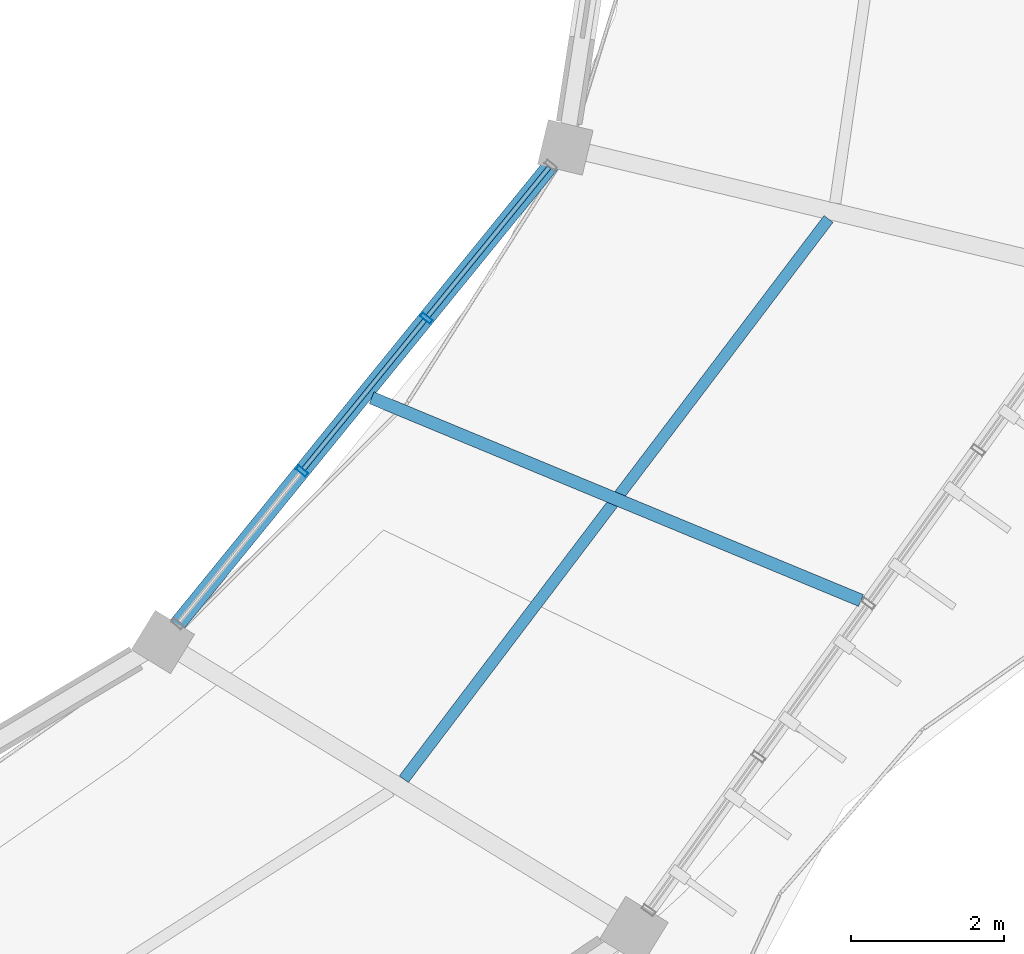
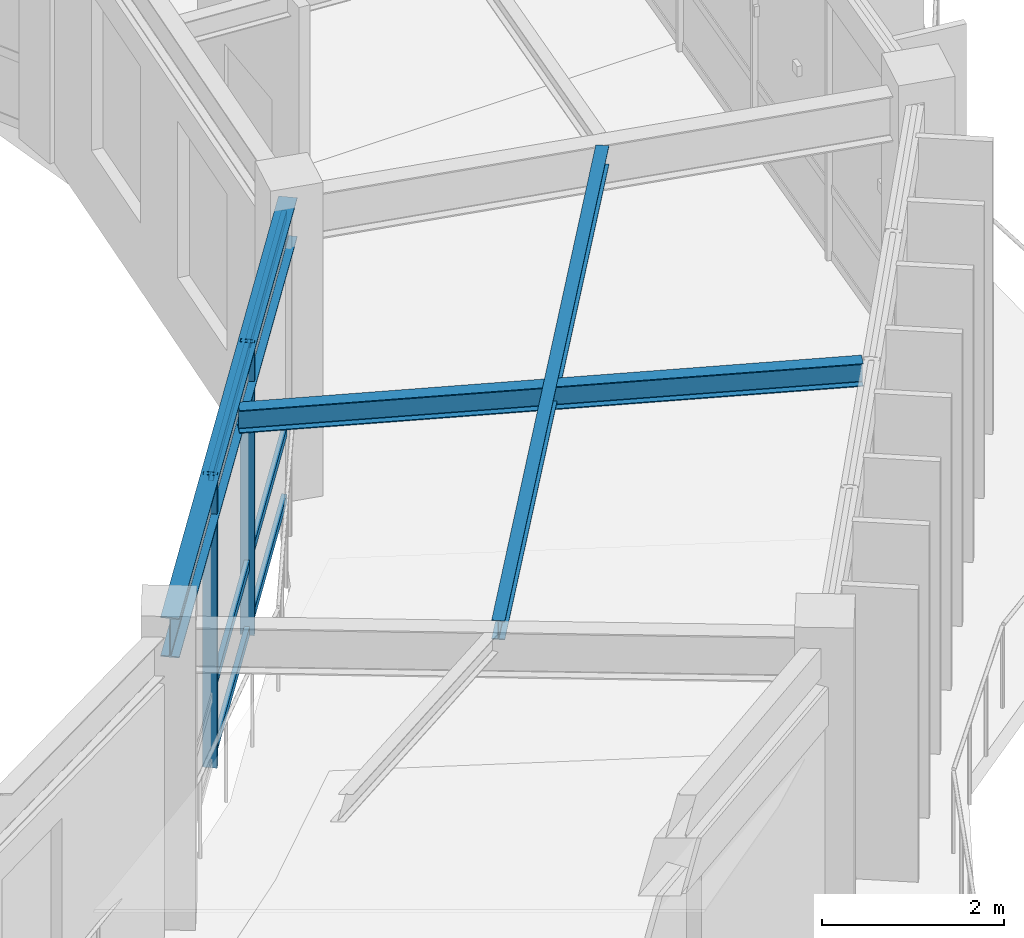
# One storey, part 75 of 114: 8 members, 3 beams, 1 element without a shape of its own.
"""IFC4 building model written with IfcOpenShell, lengths in metres."""

from ifc_helpers import new_model, si_unit, direction, frame, origin, origin_2d, place, context, subcontext, project, spatial, hollow_rectangle, i_section, extrude, material, material_profile, profile_set, type_object, element, aggregate, save


model = new_model("IFC4")

# Units and contexts
model_context = context("Model", 3, precision=1e-05, world=origin(), true_north=direction((0.0, 1.0)))
body_context = subcontext(model_context, "Body", "Model", "MODEL_VIEW")
ifc_project = project(units=[si_unit("LENGTHUNIT", "METRE"), si_unit("AREAUNIT", "SQUARE_METRE"), si_unit("VOLUMEUNIT", "CUBIC_METRE"), si_unit("PLANEANGLEUNIT", "RADIAN"), si_unit("MASSUNIT", "GRAM", prefix="KILO"), si_unit("THERMODYNAMICTEMPERATUREUNIT", "KELVIN"), si_unit("POWERUNIT", "WATT")], contexts=[model_context])

# Site, building, storey
site_placement = place(None, origin())
site = spatial("IfcSite", under=ifc_project, at=site_placement, CompositionType="ELEMENT")
building_placement = place(site_placement, origin())
building = spatial("IfcBuilding", under=site, at=building_placement, Name="Darbajah Civic Hall", CompositionType="ELEMENT")
storey_placement = place(building_placement, frame((0.0, 0.0, 13.800048828125)))
storey = spatial("IfcBuildingStorey", under=building, at=storey_placement, Name="L03", CompositionType="ELEMENT", Elevation=13.800048828125)

# Curtain wall, members
ifc_material_1 = material(Name="Anodised Bronze Aluminium and Low-E Glazing", Category="aluminium")
curtain_wall_type = type_object("IfcCurtainWallType", Name="Unitised Curtain Wall CW-52 7700x3900", PredefinedType="USERDEFINED", material=ifc_material_1)
curtain_wall_placement = place(storey_placement, origin())
curtain_wall = element("IfcCurtainWall", 1, at=curtain_wall_placement, inside=storey, type_object=curtain_wall_type, Name="L03 unitised curtain wall CW-V1I-L03-18", ObjectType="UNITISED CURTAIN WALL", PredefinedType="USERDEFINED")
ifc_material_2 = material(Name="Anodised Bronze Aluminium", Category="aluminium")
ifc_material_profile_1 = material_profile(ifc_material_2, hollow_rectangle(XDim=0.06005859375, YDim=0.159912109375, WallThickness=0.00341796875, at=origin_2d()), Name="ALU MULLION 60x160")
ifc_profile_set_1 = profile_set([ifc_material_profile_1], Name="Anodised Bronze Aluminium")
member_type_1 = type_object("IfcMemberType", Name="ALU MULLION 60x160", PredefinedType="MULLION", material=ifc_profile_set_1)
member_1_placement = place(storey_placement, frame((128.257080078125, 80.375, 0.0), z_axis=(0.0, 0.0, 1.0), x_axis=(0.63108205791, 0.775716079622, 0.0)))
member_1 = element("IfcMember", 2, at=member_1_placement, type_object=member_type_1, Name="CW-V1I-L03-18 mullion 2", PredefinedType="MULLION", context=body_context, shape_type="SweptSolid", body=[
    extrude(hollow_rectangle(XDim=0.06005859375, YDim=0.159912109375, WallThickness=0.00341796875, at=origin_2d()), origin(), (0.0, 0.0, 1.0), 3.919921875),
])
member_2_placement = place(storey_placement, frame((129.878173828125, 82.367431640625, 0.0), z_axis=(0.0, 0.0, 1.0), x_axis=(0.63108205791, 0.775716079622, 0.0)))
member_2 = element("IfcMember", 3, at=member_2_placement, type_object=member_type_1, Name="CW-V1I-L03-18 mullion 3", PredefinedType="MULLION", context=body_context, shape_type="SweptSolid", body=[
    extrude(hollow_rectangle(XDim=0.06005859375, YDim=0.159912109375, WallThickness=0.00341796875, at=origin_2d()), origin(), (0.0, 0.0, 1.0), 3.919921875),
])
ifc_material_profile_2 = material_profile(ifc_material_2, hollow_rectangle(XDim=0.06005859375, YDim=0.1201171875, WallThickness=0.003173828125, at=origin_2d()), Name="ALU TRANSOM 60x120")
ifc_profile_set_2 = profile_set([ifc_material_profile_2], Name="Anodised Bronze Aluminium")
member_type_2 = type_object("IfcMemberType", Name="ALU TRANSOM 60x120", PredefinedType="USERDEFINED", material=ifc_profile_set_2)
member_3_placement = place(storey_placement, frame((128.279296875, 80.402099609375, 0.06005859375), z_axis=(0.631096435911, 0.77570438221, 0.0), x_axis=(-0.77570438221, 0.631096435911, 0.0)))
member_3 = element("IfcMember", 4, at=member_3_placement, type_object=member_type_2, Name="CW-V1I-L03-18 transom 2.1", ObjectType="TRANSOM", PredefinedType="USERDEFINED", context=body_context, shape_type="SweptSolid", body=[
    extrude(hollow_rectangle(XDim=0.06005859375, YDim=0.1201171875, WallThickness=0.003173828125, at=origin_2d()), origin(), (0.0, 0.0, 1.0), 2.498779296875),
])
member_4_placement = place(storey_placement, frame((128.279296875, 80.402099609375, 0.949951171875), z_axis=(0.631096435911, 0.77570438221, 0.0), x_axis=(-0.77570438221, 0.631096435911, 0.0)))
member_4 = element("IfcMember", 5, at=member_4_placement, type_object=member_type_2, Name="CW-V1I-L03-18 transom 2.2", ObjectType="TRANSOM", PredefinedType="USERDEFINED", context=body_context, shape_type="SweptSolid", body=[
    extrude(hollow_rectangle(XDim=0.06005859375, YDim=0.1201171875, WallThickness=0.003173828125, at=origin_2d()), origin(), (0.0, 0.0, 1.0), 2.498779296875),
])
member_5_placement = place(storey_placement, frame((128.279296875, 80.402099609375, 3.85986328125), z_axis=(0.631096435911, 0.77570438221, 0.0), x_axis=(-0.77570438221, 0.631096435911, 0.0)))
member_5 = element("IfcMember", 6, at=member_5_placement, type_object=member_type_2, Name="CW-V1I-L03-18 transom 2.3", ObjectType="TRANSOM", PredefinedType="USERDEFINED", context=body_context, shape_type="SweptSolid", body=[
    extrude(hollow_rectangle(XDim=0.06005859375, YDim=0.1201171875, WallThickness=0.003173828125, at=origin_2d()), origin(), (0.0, 0.0, 1.0), 2.498779296875),
])
member_6_placement = place(storey_placement, frame((129.900390625, 82.39453125, 0.06005859375), z_axis=(0.631037637837, 0.775752215358, 0.0), x_axis=(-0.775752215358, 0.631037637837, 0.0)))
member_6 = element("IfcMember", 7, at=member_6_placement, type_object=member_type_2, Name="CW-V1I-L03-18 transom 3.1", ObjectType="TRANSOM", PredefinedType="USERDEFINED", context=body_context, shape_type="SweptSolid", body=[
    extrude(hollow_rectangle(XDim=0.06005859375, YDim=0.1201171875, WallThickness=0.003173828125, at=origin_2d()), origin(), (0.0, 0.0, 1.0), 2.49853515625),
])
member_7_placement = place(storey_placement, frame((129.900390625, 82.39453125, 0.949951171875), z_axis=(0.631037637837, 0.775752215358, 0.0), x_axis=(-0.775752215358, 0.631037637837, 0.0)))
member_7 = element("IfcMember", 8, at=member_7_placement, type_object=member_type_2, Name="CW-V1I-L03-18 transom 3.2", ObjectType="TRANSOM", PredefinedType="USERDEFINED", context=body_context, shape_type="SweptSolid", body=[
    extrude(hollow_rectangle(XDim=0.06005859375, YDim=0.1201171875, WallThickness=0.003173828125, at=origin_2d()), origin(), (0.0, 0.0, 1.0), 2.49853515625),
])
member_8_placement = place(storey_placement, frame((129.900390625, 82.39453125, 3.85986328125), z_axis=(0.631037637837, 0.775752215358, 0.0), x_axis=(-0.775752215358, 0.631037637837, 0.0)))
member_8 = element("IfcMember", 9, at=member_8_placement, type_object=member_type_2, Name="CW-V1I-L03-18 transom 3.3", ObjectType="TRANSOM", PredefinedType="USERDEFINED", context=body_context, shape_type="SweptSolid", body=[
    extrude(hollow_rectangle(XDim=0.06005859375, YDim=0.1201171875, WallThickness=0.003173828125, at=origin_2d()), origin(), (0.0, 0.0, 1.0), 2.49853515625),
])
aggregate(curtain_wall, [member_1, member_2, member_3, member_4, member_5, member_6, member_7, member_8])

# Beams
ifc_material_3 = material(Name="Steel S355JR", Category="steel")
ifc_material_profile_3 = material_profile(ifc_material_3, i_section(OverallWidth=0.146484375, OverallDepth=0.256103515625, WebThickness=0.00634765625, FlangeThickness=0.010986328125, FilletRadius=0.007568359375, at=origin_2d()), Name="UB 254x146x37")
ifc_profile_set_3 = profile_set([ifc_material_profile_3], Name="Steel S355JR")
beam_type_1 = type_object("IfcBeamType", Name="UB 254x146x37", PredefinedType="JOIST", material=ifc_profile_set_3)
beam_1_placement = place(storey_placement, frame((129.585205078125, 76.359619140625, 3.7919921875), z_axis=(0.604101851083, 0.796907117246, 0.0), x_axis=(-0.796907117246, 0.604101851083, 0.0)))
element("IfcBeam", 10, at=beam_1_placement, inside=storey, type_object=beam_type_1, Name="L03 beam SJ-254", PredefinedType="JOIST", context=body_context, shape_type="SweptSolid", body=[
    extrude(i_section(OverallWidth=0.146484375, OverallDepth=0.256103515625, WebThickness=0.00634765625, FlangeThickness=0.010986328125, FilletRadius=0.007568359375, at=origin_2d()), origin(), (0.0, 0.0, 1.0), 9.16259765625),
])
ifc_material_profile_4 = material_profile(ifc_material_3, i_section(OverallWidth=0.165771484375, OverallDepth=0.306640625, WebThickness=0.006591796875, FlangeThickness=0.01171875, FilletRadius=0.0087890625, at=origin_2d()), Name="UB 305x165x46")
ifc_profile_set_4 = profile_set([ifc_material_profile_4], Name="Steel S355JR")
beam_type_2 = type_object("IfcBeamType", Name="UB 305x165x46", PredefinedType="JOIST", material=ifc_profile_set_4)
beam_2_placement = place(storey_placement, frame((129.16552734375, 81.330810546875, 3.7666015625), z_axis=(0.923878471007, -0.382685995053, 0.0), x_axis=(0.382685995053, 0.923878471007, 0.0)))
element("IfcBeam", 11, at=beam_2_placement, inside=storey, type_object=beam_type_2, Name="L03 beam SJ-305", PredefinedType="JOIST", context=body_context, shape_type="SweptSolid", body=[
    extrude(i_section(OverallWidth=0.165771484375, OverallDepth=0.306640625, WebThickness=0.006591796875, FlangeThickness=0.01171875, FilletRadius=0.0087890625, at=origin_2d()), origin(), (0.0, 0.0, 1.0), 6.9033203125),
])
ifc_material_profile_5 = material_profile(ifc_material_3, i_section(OverallWidth=0.209228515625, OverallDepth=0.533203125, WebThickness=0.010009765625, FlangeThickness=0.015625, FilletRadius=0.0126953125, at=origin_2d()), Name="UB 533x210x92")
ifc_profile_set_5 = profile_set([ifc_material_profile_5], Name="Steel S355JR")
beam_type_3 = type_object("IfcBeamType", Name="UB 533x210x92", PredefinedType="BEAM", material=ifc_profile_set_5)
beam_3_placement = place(storey_placement, frame((126.49609375, 78.21044921875, 3.653564453125), z_axis=(0.631114659221, 0.775689555761, 0.0), x_axis=(-0.775689555761, 0.631114659221, 0.0)))
element("IfcBeam", 12, at=beam_3_placement, inside=storey, type_object=beam_type_3, Name="L03 beam SB-533", PredefinedType="BEAM", context=body_context, shape_type="SweptSolid", body=[
    extrude(i_section(OverallWidth=0.209228515625, OverallDepth=0.533203125, WebThickness=0.010009765625, FlangeThickness=0.015625, FilletRadius=0.0126953125, at=origin_2d()), origin(), (0.0, 0.0, 1.0), 8.149658203125),
])

save(model, "model.ifc")
